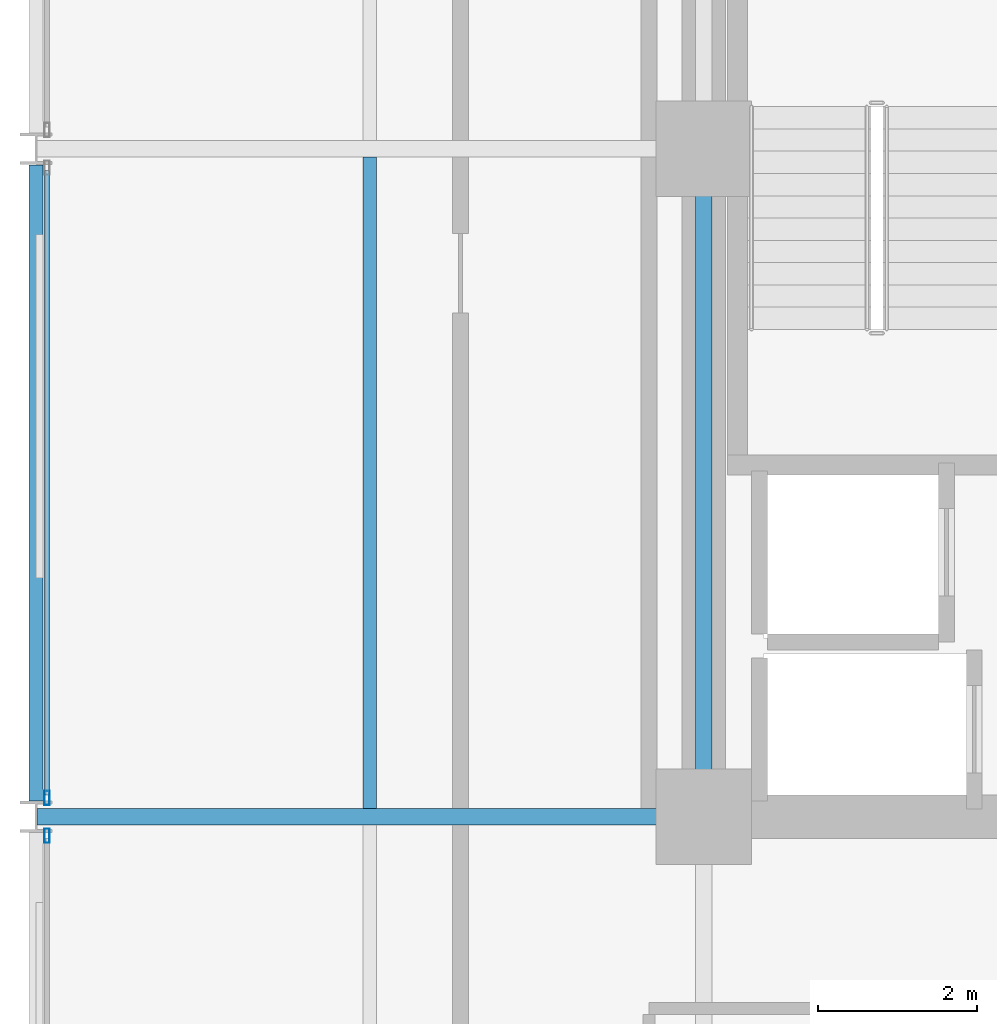
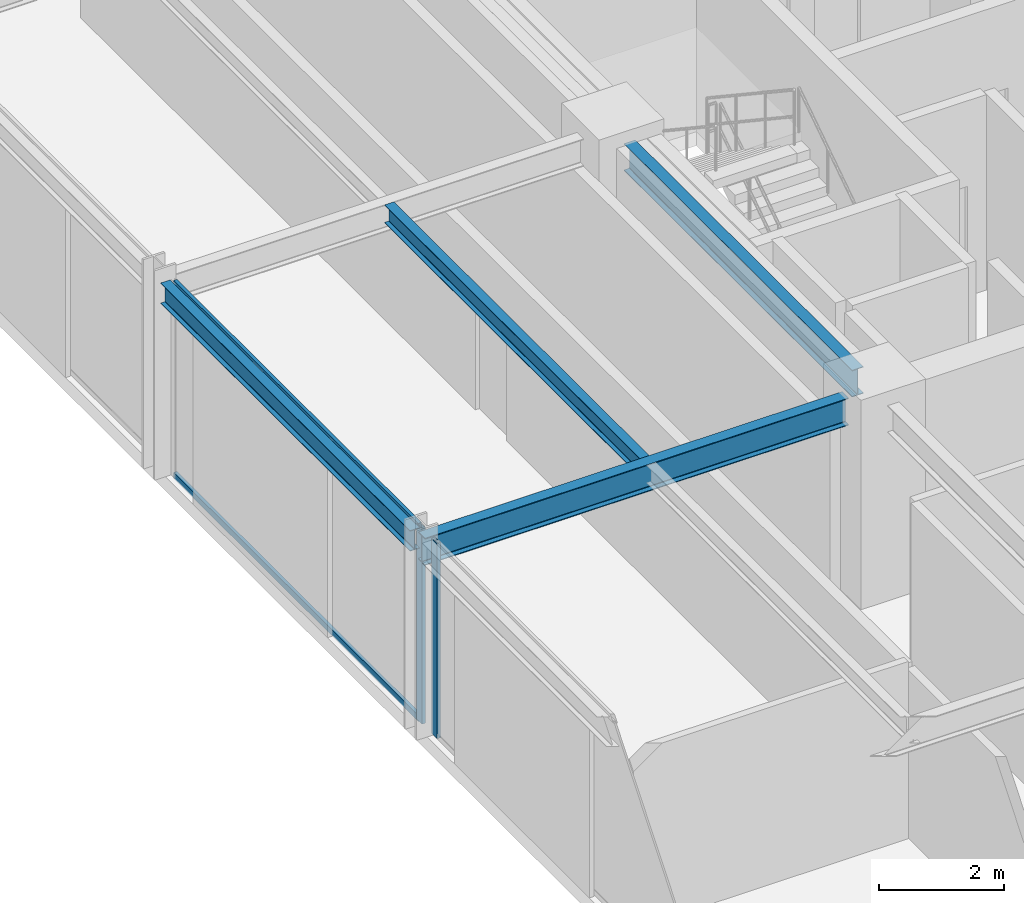
# One storey, part 10 of 29: 4 beams, 4 members, 2 elements without a shape of their own.
"""IFC4 building model written with IfcOpenShell, lengths in metres."""

from ifc_helpers import new_model, si_unit, direction, frame, origin, origin_2d, place, context, subcontext, project, spatial, hollow_rectangle, i_section, extrude, material, layer, layer_set, material_profile, profile_set, type_object, element, aggregate, save


model = new_model("IFC4")

# Units and contexts
model_context = context("Model", 3, precision=1e-05, world=origin(), true_north=direction((0.0, 1.0)))
body_context = subcontext(model_context, "Body", "Model", "MODEL_VIEW")
ifc_project = project(units=[si_unit("LENGTHUNIT", "METRE"), si_unit("AREAUNIT", "SQUARE_METRE"), si_unit("VOLUMEUNIT", "CUBIC_METRE"), si_unit("PLANEANGLEUNIT", "RADIAN"), si_unit("MASSUNIT", "GRAM", prefix="KILO")], contexts=[model_context])

# Site, building, storey
site_placement = place(None, origin())
site = spatial("IfcSite", under=ifc_project, at=site_placement, CompositionType="ELEMENT")
building_placement = place(site_placement, origin())
building = spatial("IfcBuilding", under=site, at=building_placement, Name="Nerrivon Quay Data Exchange", CompositionType="ELEMENT")
storey_placement = place(building_placement, frame((0.0, 0.0, 121.300048828125)))
storey = spatial("IfcBuildingStorey", under=building, at=storey_placement, Name="L28", CompositionType="ELEMENT", Elevation=121.300048828125)

# Beams
ifc_material_1 = material(Name="Steel Grade 350", Category="steel")
ifc_material_profile_1 = material_profile(ifc_material_1, i_section(OverallWidth=0.208984375, OverallDepth=0.532958984375, WebThickness=0.01025390625, FlangeThickness=0.015625, FilletRadius=0.013916015625, at=origin_2d()), Name="530UB92.4")
ifc_profile_set_1 = profile_set([ifc_material_profile_1], Name="Steel Grade 350")
beam_type_1 = type_object("IfcBeamType", Name="BM-G3-530UB92", PredefinedType="BEAM", material=ifc_profile_set_1)
beam_1_placement = place(storey_placement, frame((0.012451171875, 25.199951171875, 3.558349609375), z_axis=(1.0, 0.0, 0.0), x_axis=(0.0, 1.0, 0.0)))
element("IfcBeam", 1, at=beam_1_placement, inside=storey, type_object=beam_type_1, Name="L28 EW Girder Y=25.2 (0.0..8.4)", PredefinedType="BEAM", context=body_context, shape_type="SweptSolid", body=[
    extrude(i_section(OverallWidth=0.208984375, OverallDepth=0.532958984375, WebThickness=0.01025390625, FlangeThickness=0.015625, FilletRadius=0.013916015625, at=origin_2d()), origin(), (0.0, 0.0, 1.0), 7.84765625),
])
ifc_material_profile_2 = material_profile(ifc_material_1, i_section(OverallWidth=0.208984375, OverallDepth=0.528076171875, WebThickness=0.009521484375, FlangeThickness=0.01318359375, FilletRadius=0.013916015625, at=origin_2d()), Name="530UB82.0")
ifc_profile_set_2 = profile_set([ifc_material_profile_2], Name="Steel Grade 350")
beam_type_2 = type_object("IfcBeamType", Name="BM-G4-530UB82", PredefinedType="BEAM", material=ifc_profile_set_2)
beam_2_placement = place(storey_placement, frame((8.39990234375, 25.739990234375, 3.56103515625), z_axis=(0.0, 1.0, 0.0), x_axis=(-1.0, 0.0, 0.0)))
element("IfcBeam", 2, at=beam_2_placement, inside=storey, type_object=beam_type_2, Name="L28 NS Girder X=8.4 (25.2..33.6)", PredefinedType="BEAM", context=body_context, shape_type="SweptSolid", body=[
    extrude(i_section(OverallWidth=0.208984375, OverallDepth=0.528076171875, WebThickness=0.009521484375, FlangeThickness=0.01318359375, FilletRadius=0.013916015625, at=origin_2d()), origin(), (0.0, 0.0, 1.0), 7.320068359375),
])
ifc_material_profile_3 = material_profile(ifc_material_1, i_section(OverallWidth=0.1708984375, OverallDepth=0.35595703125, WebThickness=0.00732421875, FlangeThickness=0.011474609375, FilletRadius=0.011474609375, at=origin_2d()), Name="360UB50.7")
ifc_profile_set_3 = profile_set([ifc_material_profile_3], Name="Steel Grade 350")
beam_type_3 = type_object("IfcBeamType", Name="BM-J4-360UB51", PredefinedType="JOIST", material=ifc_profile_set_3)
beam_3_placement = place(storey_placement, frame((4.199951171875, 25.304443359375, 3.64697265625), z_axis=(0.0, 1.0, 0.0), x_axis=(-1.0, 0.0, 0.0)))
element("IfcBeam", 3, at=beam_3_placement, inside=storey, type_object=beam_type_3, Name="L28 Secondary Joist X=4.2 (25.2..33.6)", PredefinedType="JOIST", context=body_context, shape_type="SweptSolid", body=[
    extrude(i_section(OverallWidth=0.1708984375, OverallDepth=0.35595703125, WebThickness=0.00732421875, FlangeThickness=0.011474609375, FilletRadius=0.011474609375, at=origin_2d()), origin(), (0.0, 0.0, 1.0), 8.191162109375),
])
ifc_material_profile_4 = material_profile(ifc_material_1, i_section(OverallWidth=0.177978515625, OverallDepth=0.403076171875, WebThickness=0.007568359375, FlangeThickness=0.010986328125, FilletRadius=0.011474609375, at=origin_2d()), Name="410UB53.7")
ifc_profile_set_4 = profile_set([ifc_material_profile_4], Name="Steel Grade 350")
beam_type_4 = type_object("IfcBeamType", Name="BM-SP2-410UB54", PredefinedType="SPANDREL", material=ifc_profile_set_4)
beam_4_placement = place(storey_placement, frame((0.0, 25.39990234375, 3.62353515625), z_axis=(0.0, 1.0, 0.0), x_axis=(-1.0, 0.0, 0.0)))
element("IfcBeam", 4, at=beam_4_placement, inside=storey, type_object=beam_type_4, Name="L28 NS Girder X=0.0 (25.2..33.6)", PredefinedType="SPANDREL", context=body_context, shape_type="SweptSolid", body=[
    extrude(i_section(OverallWidth=0.177978515625, OverallDepth=0.403076171875, WebThickness=0.007568359375, FlangeThickness=0.010986328125, FilletRadius=0.011474609375, at=origin_2d()), origin(), (0.0, 0.0, 1.0), 8.0),
])

# Curtain wall, member
ifc_material_2 = material(Name="Anodised aluminium 6063-T6", Category="aluminium")
ifc_layer = layer(ifc_material_2, 0.2099609375)
ifc_layer_set = layer_set([ifc_layer], Name="Anodised aluminium 6063-T6")
curtain_wall_type = type_object("IfcCurtainWallType", Name="CW-SYS-02", PredefinedType="NOTDEFINED", material=ifc_layer_set)
curtain_wall_1_placement = place(storey_placement, origin())
curtain_wall_1 = element("IfcCurtainWall", 5, at=curtain_wall_1_placement, inside=storey, type_object=curtain_wall_type, Name="L28 Unitised Curtain Wall 13", PredefinedType="NOTDEFINED")
ifc_material_profile_5 = material_profile(ifc_material_2, hollow_rectangle(XDim=0.06494140625, YDim=0.179931640625, WallThickness=0.00341796875, at=origin_2d()), Name="ALU-MULL-180x65")
ifc_profile_set_5 = profile_set([ifc_material_profile_5], Name="Anodised aluminium 6063-T6")
member_type_1 = type_object("IfcMemberType", Name="CWM-180x65", PredefinedType="MULLION", material=ifc_profile_set_5)
member_1_placement = place(storey_placement, frame((0.139892578125, 24.96240234375, 0.0), z_axis=(0.0, 0.0, 1.0), x_axis=(-1.0, 0.0, 0.0)))
member_1 = element("IfcMember", 6, at=member_1_placement, type_object=member_type_1, Name="CW02 mullion 2", PredefinedType="MULLION", context=body_context, shape_type="SweptSolid", body=[
    extrude(hollow_rectangle(XDim=0.06494140625, YDim=0.179931640625, WallThickness=0.00341796875, at=origin_2d()), origin(), (0.0, 0.0, 1.0), 3.824951171875),
])
aggregate(curtain_wall_1, [member_1])

# Curtain wall, members
curtain_wall_2_placement = place(storey_placement, origin())
curtain_wall_2 = element("IfcCurtainWall", 7, at=curtain_wall_2_placement, inside=storey, type_object=curtain_wall_type, Name="L28 Unitised Curtain Wall 14", PredefinedType="NOTDEFINED")
member_2_placement = place(storey_placement, frame((0.139892578125, 25.4375, 0.0), z_axis=(0.0, 0.0, 1.0), x_axis=(-1.0, 0.0, 0.0)))
member_2 = element("IfcMember", 8, at=member_2_placement, type_object=member_type_1, Name="CW02 mullion 1", PredefinedType="MULLION", context=body_context, shape_type="SweptSolid", body=[
    extrude(hollow_rectangle(XDim=0.06494140625, YDim=0.179931640625, WallThickness=0.00341796875, at=origin_2d()), origin(), (0.0, 0.0, 1.0), 3.824951171875),
])
ifc_material_profile_6 = material_profile(ifc_material_2, hollow_rectangle(XDim=0.06005859375, YDim=0.1201171875, WallThickness=0.003173828125, at=origin_2d()), Name="ALU-TRAN-120x60")
ifc_profile_set_6 = profile_set([ifc_material_profile_6], Name="Anodised aluminium 6063-T6")
member_type_2 = type_object("IfcMemberType", Name="CWT-120x60", PredefinedType="USERDEFINED", material=ifc_profile_set_6)
member_3_placement = place(storey_placement, frame((0.139892578125, 25.47509765625, 0.032470703125), z_axis=(0.0, 1.0, 0.0), x_axis=(-1.0, 0.0, 0.0)))
member_3 = element("IfcMember", 9, at=member_3_placement, type_object=member_type_2, Name="CW02 transom 1.1", ObjectType="TRANSOM", PredefinedType="USERDEFINED", context=body_context, shape_type="SweptSolid", body=[
    extrude(hollow_rectangle(XDim=0.06005859375, YDim=0.1201171875, WallThickness=0.003173828125, at=origin_2d()), origin(), (0.0, 0.0, 1.0), 7.849853515625),
])
member_4_placement = place(storey_placement, frame((0.139892578125, 25.47509765625, 3.79248046875), z_axis=(0.0, 1.0, 0.0), x_axis=(-1.0, 0.0, 0.0)))
member_4 = element("IfcMember", 10, at=member_4_placement, type_object=member_type_2, Name="CW02 transom 1.2", ObjectType="TRANSOM", PredefinedType="USERDEFINED", context=body_context, shape_type="SweptSolid", body=[
    extrude(hollow_rectangle(XDim=0.06005859375, YDim=0.1201171875, WallThickness=0.003173828125, at=origin_2d()), origin(), (0.0, 0.0, 1.0), 7.849853515625),
])
aggregate(curtain_wall_2, [member_2, member_3, member_4])

save(model, "model.ifc")
